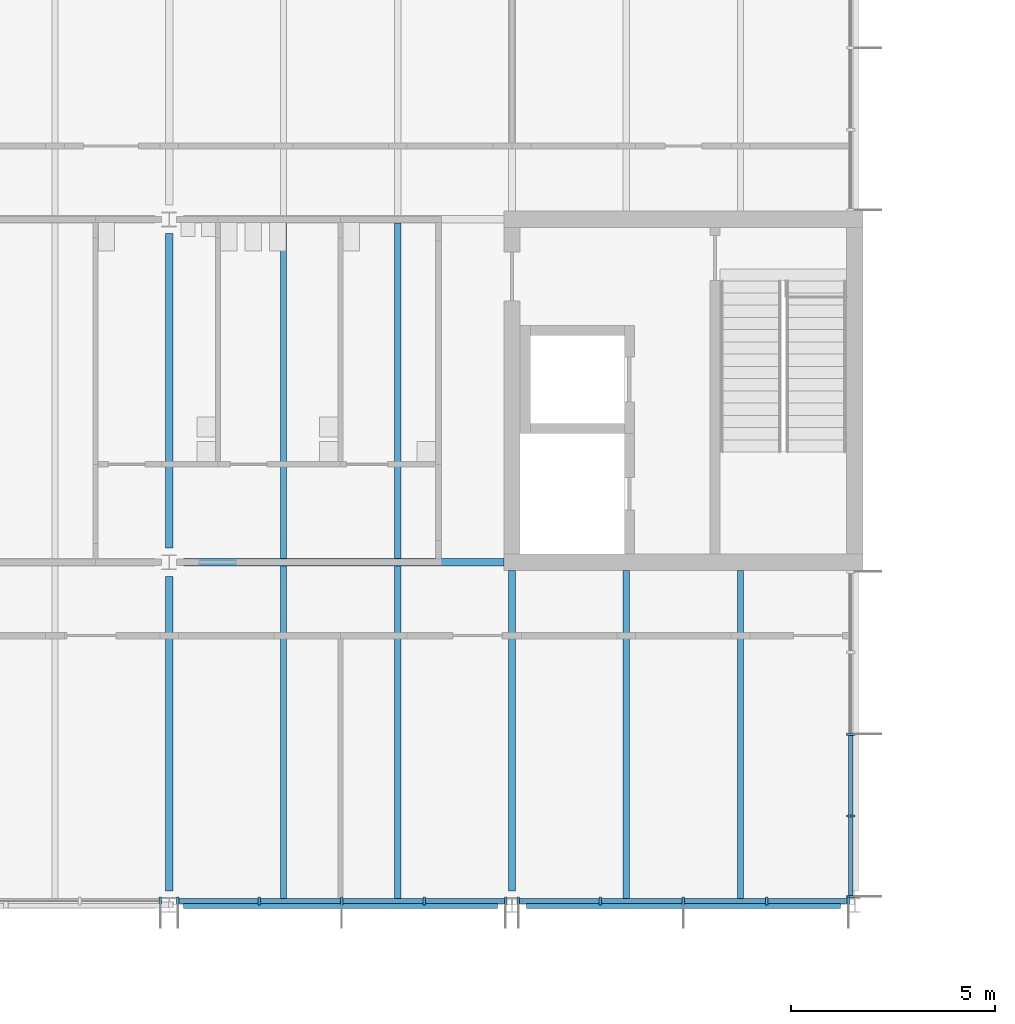
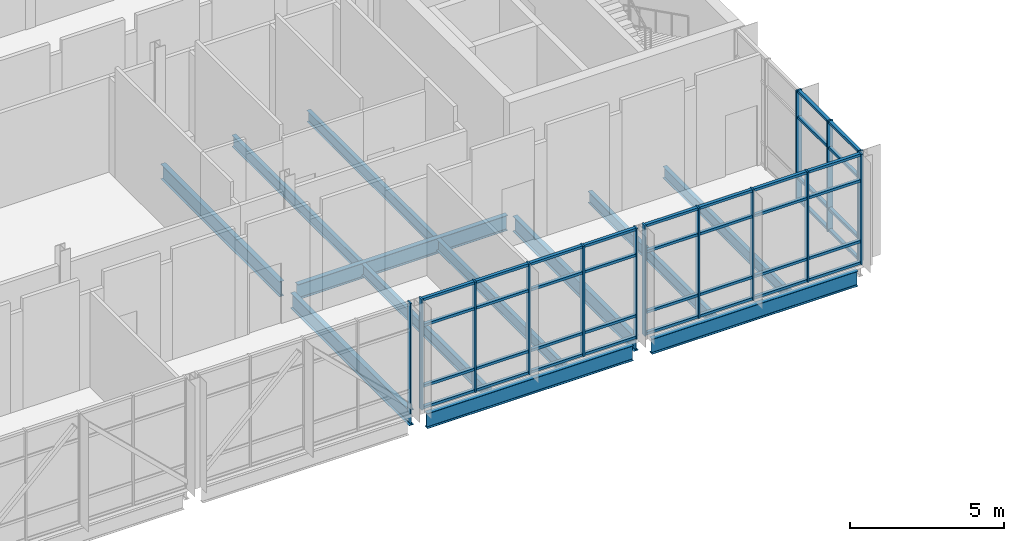
# One storey, part 14 of 89: 54 members, 12 beams, 4 elements without a shape of their own.
"""IFC4 building model written with IfcOpenShell, lengths in metres."""

from ifc_helpers import new_model, si_unit, direction, frame, origin, origin_2d, place, context, subcontext, project, spatial, rectangle, i_section, extrude, material, material_profile, profile_set, type_object, element, aggregate, save


model = new_model("IFC4")

# Units and contexts
model_context = context("Model", 3, precision=1e-05, world=origin(), true_north=direction((0.0, 1.0)))
body_context = subcontext(model_context, "Body", "Model", "MODEL_VIEW")
ifc_project = project(units=[si_unit("LENGTHUNIT", "METRE"), si_unit("AREAUNIT", "SQUARE_METRE"), si_unit("VOLUMEUNIT", "CUBIC_METRE"), si_unit("PLANEANGLEUNIT", "RADIAN"), si_unit("MASSUNIT", "GRAM", prefix="KILO")], contexts=[model_context])

# Site, building, storey
site_placement = place(None, origin())
site = spatial("IfcSite", under=ifc_project, at=site_placement, CompositionType="ELEMENT")
building_placement = place(site_placement, origin())
building = spatial("IfcBuilding", under=site, at=building_placement, Name="Hlaing Beacon Police Headquarters", CompositionType="ELEMENT")
storey_placement = place(building_placement, frame((0.0, 0.0, 9.89990234375)))
storey = spatial("IfcBuildingStorey", under=building, at=storey_placement, Name="L02", CompositionType="ELEMENT", Elevation=9.89990234375)

# Beams
ifc_material_1 = material(Name="Steel ASTM A992 Grade 50", Category="steel")
ifc_material_profile_1 = material_profile(ifc_material_1, i_section(OverallWidth=0.177978515625, OverallDepth=0.599365234375, WebThickness=0.010009765625, FlangeThickness=0.012939453125, FilletRadius=0.012939453125, at=origin_2d()), Name="W24x55")
ifc_profile_set_1 = profile_set([ifc_material_profile_1], Name="Steel ASTM A992 Grade 50")
beam_type_1 = type_object("IfcBeamType", Name="Girder W24x55", PredefinedType="BEAM", material=ifc_profile_set_1)
for number, where, z_axis, x_axis, name in (
    (1, (42.35009765625, 8.39990234375, -0.4296875), (1.0, 0.0, 0.0), (0.0, 1.0, 0.0), "STR-BM-L02-GX-F2-G2"),
    (2, (50.75, 8.39990234375, -0.4296875), (1.0, 0.0, 0.0), (0.0, 1.0, 0.0), "STR-BM-L02-GX-G2-H2"),
):
    element("IfcBeam", number, at=place(storey_placement, frame(where, z_axis=z_axis, x_axis=x_axis)), inside=storey, type_object=beam_type_1, Name=name, PredefinedType="BEAM", context=body_context, shape_type="SweptSolid", body=[
        extrude(i_section(OverallWidth=0.177978515625, OverallDepth=0.599365234375, WebThickness=0.010009765625, FlangeThickness=0.012939453125, FilletRadius=0.012939453125, at=origin_2d()), origin(), (0.0, 0.0, 1.0), 7.699951171875),
    ])
beam_1_placement = place(storey_placement, frame((42.35009765625, 16.800048828125, -0.4296875), z_axis=(1.0, 0.0, 0.0), x_axis=(0.0, 1.0, 0.0)))
element("IfcBeam", 3, at=beam_1_placement, inside=storey, type_object=beam_type_1, Name="STR-BM-L02-GX-F3-G3", PredefinedType="BEAM", context=body_context, shape_type="SweptSolid", body=[
    extrude(i_section(OverallWidth=0.177978515625, OverallDepth=0.599365234375, WebThickness=0.010009765625, FlangeThickness=0.012939453125, FilletRadius=0.012939453125, at=origin_2d()), origin(), (0.0, 0.0, 1.0), 7.849853515625),
])
beam_2_placement = place(storey_placement, frame((42.0, 8.75, -0.4296875), z_axis=(0.0, 1.0, 0.0), x_axis=(-1.0, 0.0, 0.0)))
element("IfcBeam", 4, at=beam_2_placement, inside=storey, type_object=beam_type_1, Name="STR-BM-L02-GY-F2-F3", PredefinedType="BEAM", context=body_context, shape_type="SweptSolid", body=[
    extrude(i_section(OverallWidth=0.177978515625, OverallDepth=0.599365234375, WebThickness=0.010009765625, FlangeThickness=0.012939453125, FilletRadius=0.012939453125, at=origin_2d()), origin(), (0.0, 0.0, 1.0), 7.699951171875),
])
beam_3_placement = place(storey_placement, frame((42.0, 17.14990234375, -0.4296875), z_axis=(0.0, 1.0, 0.0), x_axis=(-1.0, 0.0, 0.0)))
element("IfcBeam", 5, at=beam_3_placement, inside=storey, type_object=beam_type_1, Name="STR-BM-L02-GY-F3-F4", PredefinedType="BEAM", context=body_context, shape_type="SweptSolid", body=[
    extrude(i_section(OverallWidth=0.177978515625, OverallDepth=0.599365234375, WebThickness=0.010009765625, FlangeThickness=0.012939453125, FilletRadius=0.012939453125, at=origin_2d()), origin(), (0.0, 0.0, 1.0), 7.7001953125),
])
beam_4_placement = place(storey_placement, frame((50.39990234375, 8.75, -0.4296875), z_axis=(0.0, 1.0, 0.0), x_axis=(-1.0, 0.0, 0.0)))
element("IfcBeam", 6, at=beam_4_placement, inside=storey, type_object=beam_type_1, Name="STR-BM-L02-GY-G2-G3", PredefinedType="BEAM", context=body_context, shape_type="SweptSolid", body=[
    extrude(i_section(OverallWidth=0.177978515625, OverallDepth=0.599365234375, WebThickness=0.010009765625, FlangeThickness=0.012939453125, FilletRadius=0.012939453125, at=origin_2d()), origin(), (0.0, 0.0, 1.0), 7.85009765625),
])

# Curtain wall, members
ifc_material_2 = material(Name="Aluminium frame with solar control glazing", Category="aluminium")
curtain_wall_type_1 = type_object("IfcCurtainWallType", Name="Unitised curtain wall 8.02 x 4.37", PredefinedType="NOTDEFINED", material=ifc_material_2)
curtain_wall_1_placement = place(storey_placement, origin())
curtain_wall_1 = element("IfcCurtainWall", 7, at=curtain_wall_1_placement, inside=storey, type_object=curtain_wall_type_1, Name="ENV-CW-L02-E007", PredefinedType="NOTDEFINED")
ifc_material_3 = material(Name="Aluminium", Category="aluminium")
ifc_material_profile_2 = material_profile(ifc_material_3, rectangle(XDim=0.199951171875, YDim=0.06005859375, at=origin_2d()), Name="Mullion 60x200")
ifc_profile_set_2 = profile_set([ifc_material_profile_2], Name="Aluminium")
member_type_1 = type_object("IfcMemberType", Name="Mullion 60x200", PredefinedType="MULLION", material=ifc_profile_set_2)
member_1_placement = place(storey_placement, frame((58.699951171875, 8.6064453125, 0.0), z_axis=(0.0, 0.0, 1.0), x_axis=(-1.0, 0.0, 0.0)))
member_1 = element("IfcMember", 8, at=member_1_placement, type_object=member_type_1, Name="CW-L02-E007 mullion 1", PredefinedType="MULLION", context=body_context, shape_type="SweptSolid", body=[
    extrude(rectangle(XDim=0.199951171875, YDim=0.06005859375, at=origin_2d()), origin(), (0.0, 0.0, 1.0), 4.3701171875),
])
member_2_placement = place(storey_placement, frame((58.699951171875, 10.582275390625, 0.0), z_axis=(0.0, 0.0, 1.0), x_axis=(-1.0, 0.0, 0.0)))
member_2 = element("IfcMember", 9, at=member_2_placement, type_object=member_type_1, Name="CW-L02-E007 mullion 2", PredefinedType="MULLION", context=body_context, shape_type="SweptSolid", body=[
    extrude(rectangle(XDim=0.199951171875, YDim=0.06005859375, at=origin_2d()), origin(), (0.0, 0.0, 1.0), 4.3701171875),
])
member_3_placement = place(storey_placement, frame((58.699951171875, 12.588134765625, 0.0), z_axis=(0.0, 0.0, 1.0), x_axis=(-1.0, 0.0, 0.0)))
member_3 = element("IfcMember", 10, at=member_3_placement, type_object=member_type_1, Name="CW-L02-E007 mullion 3", PredefinedType="MULLION", context=body_context, shape_type="SweptSolid", body=[
    extrude(rectangle(XDim=0.199951171875, YDim=0.06005859375, at=origin_2d()), origin(), (0.0, 0.0, 1.0), 4.3701171875),
])

# Curtain wall, member
ifc_material_4 = material(Name="Aluminium frame with solar control glazing", Category="aluminium")
curtain_wall_type_2 = type_object("IfcCurtainWallType", Name="Unitised curtain wall 8.03 x 4.37", PredefinedType="NOTDEFINED", material=ifc_material_4)
curtain_wall_2_placement = place(storey_placement, origin())
curtain_wall_2 = element("IfcCurtainWall", 11, at=curtain_wall_2_placement, inside=storey, type_object=curtain_wall_type_2, Name="ENV-CW-L02-S012", PredefinedType="NOTDEFINED")
member_4_placement = place(storey_placement, frame((41.78466796875, 8.5, 0.0), z_axis=(0.0, 0.0, 1.0), x_axis=(0.0, 1.0, 0.0)))
member_4 = element("IfcMember", 12, at=member_4_placement, type_object=member_type_1, Name="CW-L02-S012 mullion 5", PredefinedType="MULLION", context=body_context, shape_type="SweptSolid", body=[
    extrude(rectangle(XDim=0.199951171875, YDim=0.06005859375, at=origin_2d()), origin(), (0.0, 0.0, 1.0), 4.3701171875),
])
aggregate(curtain_wall_2, [member_4])

# Curtain wall, members
ifc_material_5 = material(Name="Aluminium frame with solar control glazing", Category="aluminium")
curtain_wall_type_3 = type_object("IfcCurtainWallType", Name="Unitised curtain wall 8.09 x 4.37", PredefinedType="NOTDEFINED", material=ifc_material_5)
curtain_wall_3_placement = place(storey_placement, origin())
curtain_wall_3 = element("IfcCurtainWall", 13, at=curtain_wall_3_placement, inside=storey, type_object=curtain_wall_type_3, Name="ENV-CW-L02-S013", PredefinedType="NOTDEFINED")
member_5_placement = place(storey_placement, frame((42.21533203125, 8.5, 0.0), z_axis=(0.0, 0.0, 1.0), x_axis=(0.0, 1.0, 0.0)))
member_5 = element("IfcMember", 14, at=member_5_placement, type_object=member_type_1, Name="CW-L02-S013 mullion 1", PredefinedType="MULLION", context=body_context, shape_type="SweptSolid", body=[
    extrude(rectangle(XDim=0.199951171875, YDim=0.06005859375, at=origin_2d()), origin(), (0.0, 0.0, 1.0), 4.3701171875),
])
member_6_placement = place(storey_placement, frame((44.20703125, 8.5, 0.0), z_axis=(0.0, 0.0, 1.0), x_axis=(0.0, 1.0, 0.0)))
member_6 = element("IfcMember", 15, at=member_6_placement, type_object=member_type_1, Name="CW-L02-S013 mullion 2", PredefinedType="MULLION", context=body_context, shape_type="SweptSolid", body=[
    extrude(rectangle(XDim=0.199951171875, YDim=0.06005859375, at=origin_2d()), origin(), (0.0, 0.0, 1.0), 4.3701171875),
])
member_7_placement = place(storey_placement, frame((46.228515625, 8.5, 0.0), z_axis=(0.0, 0.0, 1.0), x_axis=(0.0, 1.0, 0.0)))
member_7 = element("IfcMember", 16, at=member_7_placement, type_object=member_type_1, Name="CW-L02-S013 mullion 3", PredefinedType="MULLION", context=body_context, shape_type="SweptSolid", body=[
    extrude(rectangle(XDim=0.199951171875, YDim=0.06005859375, at=origin_2d()), origin(), (0.0, 0.0, 1.0), 4.3701171875),
])
member_8_placement = place(storey_placement, frame((48.250244140625, 8.5, 0.0), z_axis=(0.0, 0.0, 1.0), x_axis=(0.0, 1.0, 0.0)))
member_8 = element("IfcMember", 17, at=member_8_placement, type_object=member_type_1, Name="CW-L02-S013 mullion 4", PredefinedType="MULLION", context=body_context, shape_type="SweptSolid", body=[
    extrude(rectangle(XDim=0.199951171875, YDim=0.06005859375, at=origin_2d()), origin(), (0.0, 0.0, 1.0), 4.3701171875),
])
member_9_placement = place(storey_placement, frame((50.24169921875, 8.5, 0.0), z_axis=(0.0, 0.0, 1.0), x_axis=(0.0, 1.0, 0.0)))
member_9 = element("IfcMember", 18, at=member_9_placement, type_object=member_type_1, Name="CW-L02-S013 mullion 5", PredefinedType="MULLION", context=body_context, shape_type="SweptSolid", body=[
    extrude(rectangle(XDim=0.199951171875, YDim=0.06005859375, at=origin_2d()), origin(), (0.0, 0.0, 1.0), 4.3701171875),
])

ifc_material_6 = material(Name="Aluminium frame with solar control glazing", Category="aluminium")
curtain_wall_type_4 = type_object("IfcCurtainWallType", Name="Unitised curtain wall 8.14 x 4.37", PredefinedType="NOTDEFINED", material=ifc_material_6)
curtain_wall_4_placement = place(storey_placement, origin())
curtain_wall_4 = element("IfcCurtainWall", 19, at=curtain_wall_4_placement, inside=storey, type_object=curtain_wall_type_4, Name="ENV-CW-L02-S014", PredefinedType="NOTDEFINED")
member_10_placement = place(storey_placement, frame((50.558349609375, 8.5, 0.0), z_axis=(0.0, 0.0, 1.0), x_axis=(0.0, 1.0, 0.0)))
member_10 = element("IfcMember", 20, at=member_10_placement, type_object=member_type_1, Name="CW-L02-S014 mullion 1", PredefinedType="MULLION", context=body_context, shape_type="SweptSolid", body=[
    extrude(rectangle(XDim=0.199951171875, YDim=0.06005859375, at=origin_2d()), origin(), (0.0, 0.0, 1.0), 4.3701171875),
])
member_11_placement = place(storey_placement, frame((52.564453125, 8.5, 0.0), z_axis=(0.0, 0.0, 1.0), x_axis=(0.0, 1.0, 0.0)))
member_11 = element("IfcMember", 21, at=member_11_placement, type_object=member_type_1, Name="CW-L02-S014 mullion 2", PredefinedType="MULLION", context=body_context, shape_type="SweptSolid", body=[
    extrude(rectangle(XDim=0.199951171875, YDim=0.06005859375, at=origin_2d()), origin(), (0.0, 0.0, 1.0), 4.3701171875),
])
member_12_placement = place(storey_placement, frame((54.6005859375, 8.5, 0.0), z_axis=(0.0, 0.0, 1.0), x_axis=(0.0, 1.0, 0.0)))
member_12 = element("IfcMember", 22, at=member_12_placement, type_object=member_type_1, Name="CW-L02-S014 mullion 3", PredefinedType="MULLION", context=body_context, shape_type="SweptSolid", body=[
    extrude(rectangle(XDim=0.199951171875, YDim=0.06005859375, at=origin_2d()), origin(), (0.0, 0.0, 1.0), 4.3701171875),
])
member_13_placement = place(storey_placement, frame((56.63671875, 8.5, 0.0), z_axis=(0.0, 0.0, 1.0), x_axis=(0.0, 1.0, 0.0)))
member_13 = element("IfcMember", 23, at=member_13_placement, type_object=member_type_1, Name="CW-L02-S014 mullion 4", PredefinedType="MULLION", context=body_context, shape_type="SweptSolid", body=[
    extrude(rectangle(XDim=0.199951171875, YDim=0.06005859375, at=origin_2d()), origin(), (0.0, 0.0, 1.0), 4.3701171875),
])
member_14_placement = place(storey_placement, frame((58.64306640625, 8.5, 0.0), z_axis=(0.0, 0.0, 1.0), x_axis=(0.0, 1.0, 0.0)))
member_14 = element("IfcMember", 24, at=member_14_placement, type_object=member_type_1, Name="CW-L02-S014 mullion 5", PredefinedType="MULLION", context=body_context, shape_type="SweptSolid", body=[
    extrude(rectangle(XDim=0.199951171875, YDim=0.06005859375, at=origin_2d()), origin(), (0.0, 0.0, 1.0), 4.3701171875),
])

# Beams
ifc_material_7 = material(Name="Steel ASTM A992 Grade 50", Category="steel")
ifc_material_profile_3 = material_profile(ifc_material_7, i_section(OverallWidth=0.15234375, OverallDepth=0.449462890625, WebThickness=0.007568359375, FlangeThickness=0.0107421875, FilletRadius=0.01025390625, at=origin_2d()), Name="W18x35")
ifc_profile_set_3 = profile_set([ifc_material_profile_3], Name="Steel ASTM A992 Grade 50")
beam_type_2 = type_object("IfcBeamType", Name="Secondary beam W18x35", PredefinedType="BEAM", material=ifc_profile_set_3)
for number, where, z_axis, x_axis, name in (
    (25, (44.800048828125, 8.489013671875, -0.354736328125), (0.0, 1.0, 0.0), (-1.0, 0.0, 0.0), "STR-BM-L02-SB-F2-y1"),
    (26, (47.60009765625, 8.489013671875, -0.354736328125), (0.0, 1.0, 0.0), (-1.0, 0.0, 0.0), "STR-BM-L02-SB-F2-y2"),
):
    element("IfcBeam", number, at=place(storey_placement, frame(where, z_axis=z_axis, x_axis=x_axis)), inside=storey, type_object=beam_type_2, Name=name, PredefinedType="BEAM", context=body_context, shape_type="SweptSolid", body=[
        extrude(i_section(OverallWidth=0.15234375, OverallDepth=0.449462890625, WebThickness=0.007568359375, FlangeThickness=0.0107421875, FilletRadius=0.01025390625, at=origin_2d()), origin(), (0.0, 0.0, 1.0), 8.221923828125),
    ])
for number, where, z_axis, x_axis, name in (
    (27, (44.800048828125, 16.888916015625, -0.354736328125), (0.0, 1.0, 0.0), (-1.0, 0.0, 0.0), "STR-BM-L02-SB-F3-y1"),
    (28, (47.60009765625, 16.888916015625, -0.354736328125), (0.0, 1.0, 0.0), (-1.0, 0.0, 0.0), "STR-BM-L02-SB-F3-y2"),
):
    element("IfcBeam", number, at=place(storey_placement, frame(where, z_axis=z_axis, x_axis=x_axis)), inside=storey, type_object=beam_type_2, Name=name, PredefinedType="BEAM", context=body_context, shape_type="SweptSolid", body=[
        extrude(i_section(OverallWidth=0.15234375, OverallDepth=0.449462890625, WebThickness=0.007568359375, FlangeThickness=0.0107421875, FilletRadius=0.01025390625, at=origin_2d()), origin(), (0.0, 0.0, 1.0), 8.22216796875),
    ])
for number, where, z_axis, x_axis, name in (
    (29, (53.199951171875, 8.489013671875, -0.354736328125), (0.0, 1.0, 0.0), (-1.0, 0.0, 0.0), "STR-BM-L02-SB-G2-y1"),
    (30, (56.0, 8.489013671875, -0.354736328125), (0.0, 1.0, 0.0), (-1.0, 0.0, 0.0), "STR-BM-L02-SB-G2-y2"),
):
    element("IfcBeam", number, at=place(storey_placement, frame(where, z_axis=z_axis, x_axis=x_axis)), inside=storey, type_object=beam_type_2, Name=name, PredefinedType="BEAM", context=body_context, shape_type="SweptSolid", body=[
        extrude(i_section(OverallWidth=0.15234375, OverallDepth=0.449462890625, WebThickness=0.007568359375, FlangeThickness=0.0107421875, FilletRadius=0.01025390625, at=origin_2d()), origin(), (0.0, 0.0, 1.0), 8.111083984375),
    ])

# Member
ifc_material_8 = material(Name="Aluminium", Category="aluminium")
ifc_material_profile_4 = material_profile(ifc_material_8, rectangle(XDim=0.1201171875, YDim=0.10009765625, at=origin_2d()), Name="Transom 120x100")
ifc_profile_set_4 = profile_set([ifc_material_profile_4], Name="Aluminium")
member_type_2 = type_object("IfcMemberType", Name="Transom 120x100", PredefinedType="USERDEFINED", material=ifc_profile_set_4)
member_15_placement = place(storey_placement, frame((58.699951171875, 8.636474609375, 0.050048828125), z_axis=(0.0, 1.0, 0.0), x_axis=(-1.0, 0.0, 0.0)))
member_15 = element("IfcMember", 31, at=member_15_placement, type_object=member_type_2, Name="CW-L02-E007 transom 1.1", ObjectType="TRANSOM", PredefinedType="USERDEFINED", context=body_context, shape_type="SweptSolid", body=[
    extrude(rectangle(XDim=0.1201171875, YDim=0.10009765625, at=origin_2d()), origin(), (0.0, 0.0, 1.0), 1.916015625),
])

member_16_placement = place(storey_placement, frame((58.699951171875, 8.636474609375, 0.900146484375), z_axis=(0.0, 1.0, 0.0), x_axis=(-1.0, 0.0, 0.0)))
member_16 = element("IfcMember", 32, at=member_16_placement, type_object=member_type_2, Name="CW-L02-E007 transom 1.2", ObjectType="TRANSOM", PredefinedType="USERDEFINED", context=body_context, shape_type="SweptSolid", body=[
    extrude(rectangle(XDim=0.1201171875, YDim=0.10009765625, at=origin_2d()), origin(), (0.0, 0.0, 1.0), 1.916015625),
])

member_17_placement = place(storey_placement, frame((58.699951171875, 8.636474609375, 3.300048828125), z_axis=(0.0, 1.0, 0.0), x_axis=(-1.0, 0.0, 0.0)))
member_17 = element("IfcMember", 33, at=member_17_placement, type_object=member_type_2, Name="CW-L02-E007 transom 1.3", ObjectType="TRANSOM", PredefinedType="USERDEFINED", context=body_context, shape_type="SweptSolid", body=[
    extrude(rectangle(XDim=0.1201171875, YDim=0.10009765625, at=origin_2d()), origin(), (0.0, 0.0, 1.0), 1.916015625),
])

member_18_placement = place(storey_placement, frame((58.699951171875, 8.636474609375, 4.320068359375), z_axis=(0.0, 1.0, 0.0), x_axis=(-1.0, 0.0, 0.0)))
member_18 = element("IfcMember", 34, at=member_18_placement, type_object=member_type_2, Name="CW-L02-E007 transom 1.4", ObjectType="TRANSOM", PredefinedType="USERDEFINED", context=body_context, shape_type="SweptSolid", body=[
    extrude(rectangle(XDim=0.1201171875, YDim=0.10009765625, at=origin_2d()), origin(), (0.0, 0.0, 1.0), 1.916015625),
])

member_19_placement = place(storey_placement, frame((58.699951171875, 10.6123046875, 0.050048828125), z_axis=(0.0, 1.0, 0.0), x_axis=(-1.0, 0.0, 0.0)))
member_19 = element("IfcMember", 35, at=member_19_placement, type_object=member_type_2, Name="CW-L02-E007 transom 2.1", ObjectType="TRANSOM", PredefinedType="USERDEFINED", context=body_context, shape_type="SweptSolid", body=[
    extrude(rectangle(XDim=0.1201171875, YDim=0.10009765625, at=origin_2d()), origin(), (0.0, 0.0, 1.0), 1.946044921875),
])

member_20_placement = place(storey_placement, frame((58.699951171875, 10.6123046875, 0.900146484375), z_axis=(0.0, 1.0, 0.0), x_axis=(-1.0, 0.0, 0.0)))
member_20 = element("IfcMember", 36, at=member_20_placement, type_object=member_type_2, Name="CW-L02-E007 transom 2.2", ObjectType="TRANSOM", PredefinedType="USERDEFINED", context=body_context, shape_type="SweptSolid", body=[
    extrude(rectangle(XDim=0.1201171875, YDim=0.10009765625, at=origin_2d()), origin(), (0.0, 0.0, 1.0), 1.946044921875),
])

member_21_placement = place(storey_placement, frame((58.699951171875, 10.6123046875, 3.300048828125), z_axis=(0.0, 1.0, 0.0), x_axis=(-1.0, 0.0, 0.0)))
member_21 = element("IfcMember", 37, at=member_21_placement, type_object=member_type_2, Name="CW-L02-E007 transom 2.3", ObjectType="TRANSOM", PredefinedType="USERDEFINED", context=body_context, shape_type="SweptSolid", body=[
    extrude(rectangle(XDim=0.1201171875, YDim=0.10009765625, at=origin_2d()), origin(), (0.0, 0.0, 1.0), 1.946044921875),
])

member_22_placement = place(storey_placement, frame((58.699951171875, 10.6123046875, 4.320068359375), z_axis=(0.0, 1.0, 0.0), x_axis=(-1.0, 0.0, 0.0)))
member_22 = element("IfcMember", 38, at=member_22_placement, type_object=member_type_2, Name="CW-L02-E007 transom 2.4", ObjectType="TRANSOM", PredefinedType="USERDEFINED", context=body_context, shape_type="SweptSolid", body=[
    extrude(rectangle(XDim=0.1201171875, YDim=0.10009765625, at=origin_2d()), origin(), (0.0, 0.0, 1.0), 1.946044921875),
])

aggregate(curtain_wall_1, [member_1, member_2, member_3, member_15, member_16, member_17, member_18, member_19, member_20, member_21, member_22])

member_23_placement = place(storey_placement, frame((42.245361328125, 8.5, 0.050048828125), z_axis=(1.0, 0.0, 0.0), x_axis=(0.0, 1.0, 0.0)))
member_23 = element("IfcMember", 39, at=member_23_placement, type_object=member_type_2, Name="CW-L02-S013 transom 1.1", ObjectType="TRANSOM", PredefinedType="USERDEFINED", context=body_context, shape_type="SweptSolid", body=[
    extrude(rectangle(XDim=0.1201171875, YDim=0.10009765625, at=origin_2d()), origin(), (0.0, 0.0, 1.0), 1.931640625),
])

member_24_placement = place(storey_placement, frame((42.245361328125, 8.5, 0.900146484375), z_axis=(1.0, 0.0, 0.0), x_axis=(0.0, 1.0, 0.0)))
member_24 = element("IfcMember", 40, at=member_24_placement, type_object=member_type_2, Name="CW-L02-S013 transom 1.2", ObjectType="TRANSOM", PredefinedType="USERDEFINED", context=body_context, shape_type="SweptSolid", body=[
    extrude(rectangle(XDim=0.1201171875, YDim=0.10009765625, at=origin_2d()), origin(), (0.0, 0.0, 1.0), 1.931640625),
])

member_25_placement = place(storey_placement, frame((42.245361328125, 8.5, 3.300048828125), z_axis=(1.0, 0.0, 0.0), x_axis=(0.0, 1.0, 0.0)))
member_25 = element("IfcMember", 41, at=member_25_placement, type_object=member_type_2, Name="CW-L02-S013 transom 1.3", ObjectType="TRANSOM", PredefinedType="USERDEFINED", context=body_context, shape_type="SweptSolid", body=[
    extrude(rectangle(XDim=0.1201171875, YDim=0.10009765625, at=origin_2d()), origin(), (0.0, 0.0, 1.0), 1.931640625),
])

member_26_placement = place(storey_placement, frame((42.245361328125, 8.5, 4.320068359375), z_axis=(1.0, 0.0, 0.0), x_axis=(0.0, 1.0, 0.0)))
member_26 = element("IfcMember", 42, at=member_26_placement, type_object=member_type_2, Name="CW-L02-S013 transom 1.4", ObjectType="TRANSOM", PredefinedType="USERDEFINED", context=body_context, shape_type="SweptSolid", body=[
    extrude(rectangle(XDim=0.1201171875, YDim=0.10009765625, at=origin_2d()), origin(), (0.0, 0.0, 1.0), 1.931640625),
])

member_27_placement = place(storey_placement, frame((44.237060546875, 8.5, 0.050048828125), z_axis=(1.0, 0.0, 0.0), x_axis=(0.0, 1.0, 0.0)))
member_27 = element("IfcMember", 43, at=member_27_placement, type_object=member_type_2, Name="CW-L02-S013 transom 2.1", ObjectType="TRANSOM", PredefinedType="USERDEFINED", context=body_context, shape_type="SweptSolid", body=[
    extrude(rectangle(XDim=0.1201171875, YDim=0.10009765625, at=origin_2d()), origin(), (0.0, 0.0, 1.0), 1.96142578125),
])

member_28_placement = place(storey_placement, frame((44.237060546875, 8.5, 0.900146484375), z_axis=(1.0, 0.0, 0.0), x_axis=(0.0, 1.0, 0.0)))
member_28 = element("IfcMember", 44, at=member_28_placement, type_object=member_type_2, Name="CW-L02-S013 transom 2.2", ObjectType="TRANSOM", PredefinedType="USERDEFINED", context=body_context, shape_type="SweptSolid", body=[
    extrude(rectangle(XDim=0.1201171875, YDim=0.10009765625, at=origin_2d()), origin(), (0.0, 0.0, 1.0), 1.96142578125),
])

member_29_placement = place(storey_placement, frame((44.237060546875, 8.5, 3.300048828125), z_axis=(1.0, 0.0, 0.0), x_axis=(0.0, 1.0, 0.0)))
member_29 = element("IfcMember", 45, at=member_29_placement, type_object=member_type_2, Name="CW-L02-S013 transom 2.3", ObjectType="TRANSOM", PredefinedType="USERDEFINED", context=body_context, shape_type="SweptSolid", body=[
    extrude(rectangle(XDim=0.1201171875, YDim=0.10009765625, at=origin_2d()), origin(), (0.0, 0.0, 1.0), 1.96142578125),
])

member_30_placement = place(storey_placement, frame((44.237060546875, 8.5, 4.320068359375), z_axis=(1.0, 0.0, 0.0), x_axis=(0.0, 1.0, 0.0)))
member_30 = element("IfcMember", 46, at=member_30_placement, type_object=member_type_2, Name="CW-L02-S013 transom 2.4", ObjectType="TRANSOM", PredefinedType="USERDEFINED", context=body_context, shape_type="SweptSolid", body=[
    extrude(rectangle(XDim=0.1201171875, YDim=0.10009765625, at=origin_2d()), origin(), (0.0, 0.0, 1.0), 1.96142578125),
])

member_31_placement = place(storey_placement, frame((46.258544921875, 8.5, 0.050048828125), z_axis=(1.0, 0.0, 0.0), x_axis=(0.0, 1.0, 0.0)))
member_31 = element("IfcMember", 47, at=member_31_placement, type_object=member_type_2, Name="CW-L02-S013 transom 3.1", ObjectType="TRANSOM", PredefinedType="USERDEFINED", context=body_context, shape_type="SweptSolid", body=[
    extrude(rectangle(XDim=0.1201171875, YDim=0.10009765625, at=origin_2d()), origin(), (0.0, 0.0, 1.0), 1.961669921875),
])

member_32_placement = place(storey_placement, frame((46.258544921875, 8.5, 0.900146484375), z_axis=(1.0, 0.0, 0.0), x_axis=(0.0, 1.0, 0.0)))
member_32 = element("IfcMember", 48, at=member_32_placement, type_object=member_type_2, Name="CW-L02-S013 transom 3.2", ObjectType="TRANSOM", PredefinedType="USERDEFINED", context=body_context, shape_type="SweptSolid", body=[
    extrude(rectangle(XDim=0.1201171875, YDim=0.10009765625, at=origin_2d()), origin(), (0.0, 0.0, 1.0), 1.961669921875),
])

member_33_placement = place(storey_placement, frame((46.258544921875, 8.5, 3.300048828125), z_axis=(1.0, 0.0, 0.0), x_axis=(0.0, 1.0, 0.0)))
member_33 = element("IfcMember", 49, at=member_33_placement, type_object=member_type_2, Name="CW-L02-S013 transom 3.3", ObjectType="TRANSOM", PredefinedType="USERDEFINED", context=body_context, shape_type="SweptSolid", body=[
    extrude(rectangle(XDim=0.1201171875, YDim=0.10009765625, at=origin_2d()), origin(), (0.0, 0.0, 1.0), 1.961669921875),
])

member_34_placement = place(storey_placement, frame((46.258544921875, 8.5, 4.320068359375), z_axis=(1.0, 0.0, 0.0), x_axis=(0.0, 1.0, 0.0)))
member_34 = element("IfcMember", 50, at=member_34_placement, type_object=member_type_2, Name="CW-L02-S013 transom 3.4", ObjectType="TRANSOM", PredefinedType="USERDEFINED", context=body_context, shape_type="SweptSolid", body=[
    extrude(rectangle(XDim=0.1201171875, YDim=0.10009765625, at=origin_2d()), origin(), (0.0, 0.0, 1.0), 1.961669921875),
])

member_35_placement = place(storey_placement, frame((48.280029296875, 8.5, 0.050048828125), z_axis=(1.0, 0.0, 0.0), x_axis=(0.0, 1.0, 0.0)))
member_35 = element("IfcMember", 51, at=member_35_placement, type_object=member_type_2, Name="CW-L02-S013 transom 4.1", ObjectType="TRANSOM", PredefinedType="USERDEFINED", context=body_context, shape_type="SweptSolid", body=[
    extrude(rectangle(XDim=0.1201171875, YDim=0.10009765625, at=origin_2d()), origin(), (0.0, 0.0, 1.0), 1.931640625),
])

member_36_placement = place(storey_placement, frame((48.280029296875, 8.5, 0.900146484375), z_axis=(1.0, 0.0, 0.0), x_axis=(0.0, 1.0, 0.0)))
member_36 = element("IfcMember", 52, at=member_36_placement, type_object=member_type_2, Name="CW-L02-S013 transom 4.2", ObjectType="TRANSOM", PredefinedType="USERDEFINED", context=body_context, shape_type="SweptSolid", body=[
    extrude(rectangle(XDim=0.1201171875, YDim=0.10009765625, at=origin_2d()), origin(), (0.0, 0.0, 1.0), 1.931640625),
])

member_37_placement = place(storey_placement, frame((48.280029296875, 8.5, 3.300048828125), z_axis=(1.0, 0.0, 0.0), x_axis=(0.0, 1.0, 0.0)))
member_37 = element("IfcMember", 53, at=member_37_placement, type_object=member_type_2, Name="CW-L02-S013 transom 4.3", ObjectType="TRANSOM", PredefinedType="USERDEFINED", context=body_context, shape_type="SweptSolid", body=[
    extrude(rectangle(XDim=0.1201171875, YDim=0.10009765625, at=origin_2d()), origin(), (0.0, 0.0, 1.0), 1.931640625),
])

member_38_placement = place(storey_placement, frame((48.280029296875, 8.5, 4.320068359375), z_axis=(1.0, 0.0, 0.0), x_axis=(0.0, 1.0, 0.0)))
member_38 = element("IfcMember", 54, at=member_38_placement, type_object=member_type_2, Name="CW-L02-S013 transom 4.4", ObjectType="TRANSOM", PredefinedType="USERDEFINED", context=body_context, shape_type="SweptSolid", body=[
    extrude(rectangle(XDim=0.1201171875, YDim=0.10009765625, at=origin_2d()), origin(), (0.0, 0.0, 1.0), 1.931640625),
])

aggregate(curtain_wall_3, [member_5, member_6, member_7, member_8, member_9, member_23, member_24, member_25, member_26, member_27, member_28, member_29, member_30, member_31, member_32, member_33, member_34, member_35, member_36, member_37, member_38])

member_39_placement = place(storey_placement, frame((50.58837890625, 8.5, 0.050048828125), z_axis=(1.0, 0.0, 0.0), x_axis=(0.0, 1.0, 0.0)))
member_39 = element("IfcMember", 55, at=member_39_placement, type_object=member_type_2, Name="CW-L02-S014 transom 1.1", ObjectType="TRANSOM", PredefinedType="USERDEFINED", context=body_context, shape_type="SweptSolid", body=[
    extrude(rectangle(XDim=0.1201171875, YDim=0.10009765625, at=origin_2d()), origin(), (0.0, 0.0, 1.0), 1.946044921875),
])

member_40_placement = place(storey_placement, frame((50.58837890625, 8.5, 0.900146484375), z_axis=(1.0, 0.0, 0.0), x_axis=(0.0, 1.0, 0.0)))
member_40 = element("IfcMember", 56, at=member_40_placement, type_object=member_type_2, Name="CW-L02-S014 transom 1.2", ObjectType="TRANSOM", PredefinedType="USERDEFINED", context=body_context, shape_type="SweptSolid", body=[
    extrude(rectangle(XDim=0.1201171875, YDim=0.10009765625, at=origin_2d()), origin(), (0.0, 0.0, 1.0), 1.946044921875),
])

member_41_placement = place(storey_placement, frame((50.58837890625, 8.5, 3.300048828125), z_axis=(1.0, 0.0, 0.0), x_axis=(0.0, 1.0, 0.0)))
member_41 = element("IfcMember", 57, at=member_41_placement, type_object=member_type_2, Name="CW-L02-S014 transom 1.3", ObjectType="TRANSOM", PredefinedType="USERDEFINED", context=body_context, shape_type="SweptSolid", body=[
    extrude(rectangle(XDim=0.1201171875, YDim=0.10009765625, at=origin_2d()), origin(), (0.0, 0.0, 1.0), 1.946044921875),
])

member_42_placement = place(storey_placement, frame((50.58837890625, 8.5, 4.320068359375), z_axis=(1.0, 0.0, 0.0), x_axis=(0.0, 1.0, 0.0)))
member_42 = element("IfcMember", 58, at=member_42_placement, type_object=member_type_2, Name="CW-L02-S014 transom 1.4", ObjectType="TRANSOM", PredefinedType="USERDEFINED", context=body_context, shape_type="SweptSolid", body=[
    extrude(rectangle(XDim=0.1201171875, YDim=0.10009765625, at=origin_2d()), origin(), (0.0, 0.0, 1.0), 1.946044921875),
])

member_43_placement = place(storey_placement, frame((52.594482421875, 8.5, 0.050048828125), z_axis=(1.0, 0.0, 0.0), x_axis=(0.0, 1.0, 0.0)))
member_43 = element("IfcMember", 59, at=member_43_placement, type_object=member_type_2, Name="CW-L02-S014 transom 2.1", ObjectType="TRANSOM", PredefinedType="USERDEFINED", context=body_context, shape_type="SweptSolid", body=[
    extrude(rectangle(XDim=0.1201171875, YDim=0.10009765625, at=origin_2d()), origin(), (0.0, 0.0, 1.0), 1.97607421875),
])

member_44_placement = place(storey_placement, frame((52.594482421875, 8.5, 0.900146484375), z_axis=(1.0, 0.0, 0.0), x_axis=(0.0, 1.0, 0.0)))
member_44 = element("IfcMember", 60, at=member_44_placement, type_object=member_type_2, Name="CW-L02-S014 transom 2.2", ObjectType="TRANSOM", PredefinedType="USERDEFINED", context=body_context, shape_type="SweptSolid", body=[
    extrude(rectangle(XDim=0.1201171875, YDim=0.10009765625, at=origin_2d()), origin(), (0.0, 0.0, 1.0), 1.97607421875),
])

member_45_placement = place(storey_placement, frame((52.594482421875, 8.5, 3.300048828125), z_axis=(1.0, 0.0, 0.0), x_axis=(0.0, 1.0, 0.0)))
member_45 = element("IfcMember", 61, at=member_45_placement, type_object=member_type_2, Name="CW-L02-S014 transom 2.3", ObjectType="TRANSOM", PredefinedType="USERDEFINED", context=body_context, shape_type="SweptSolid", body=[
    extrude(rectangle(XDim=0.1201171875, YDim=0.10009765625, at=origin_2d()), origin(), (0.0, 0.0, 1.0), 1.97607421875),
])

member_46_placement = place(storey_placement, frame((52.594482421875, 8.5, 4.320068359375), z_axis=(1.0, 0.0, 0.0), x_axis=(0.0, 1.0, 0.0)))
member_46 = element("IfcMember", 62, at=member_46_placement, type_object=member_type_2, Name="CW-L02-S014 transom 2.4", ObjectType="TRANSOM", PredefinedType="USERDEFINED", context=body_context, shape_type="SweptSolid", body=[
    extrude(rectangle(XDim=0.1201171875, YDim=0.10009765625, at=origin_2d()), origin(), (0.0, 0.0, 1.0), 1.97607421875),
])

member_47_placement = place(storey_placement, frame((54.630615234375, 8.5, 0.050048828125), z_axis=(1.0, 0.0, 0.0), x_axis=(0.0, 1.0, 0.0)))
member_47 = element("IfcMember", 63, at=member_47_placement, type_object=member_type_2, Name="CW-L02-S014 transom 3.1", ObjectType="TRANSOM", PredefinedType="USERDEFINED", context=body_context, shape_type="SweptSolid", body=[
    extrude(rectangle(XDim=0.1201171875, YDim=0.10009765625, at=origin_2d()), origin(), (0.0, 0.0, 1.0), 1.976318359375),
])

member_48_placement = place(storey_placement, frame((54.630615234375, 8.5, 0.900146484375), z_axis=(1.0, 0.0, 0.0), x_axis=(0.0, 1.0, 0.0)))
member_48 = element("IfcMember", 64, at=member_48_placement, type_object=member_type_2, Name="CW-L02-S014 transom 3.2", ObjectType="TRANSOM", PredefinedType="USERDEFINED", context=body_context, shape_type="SweptSolid", body=[
    extrude(rectangle(XDim=0.1201171875, YDim=0.10009765625, at=origin_2d()), origin(), (0.0, 0.0, 1.0), 1.976318359375),
])

member_49_placement = place(storey_placement, frame((54.630615234375, 8.5, 3.300048828125), z_axis=(1.0, 0.0, 0.0), x_axis=(0.0, 1.0, 0.0)))
member_49 = element("IfcMember", 65, at=member_49_placement, type_object=member_type_2, Name="CW-L02-S014 transom 3.3", ObjectType="TRANSOM", PredefinedType="USERDEFINED", context=body_context, shape_type="SweptSolid", body=[
    extrude(rectangle(XDim=0.1201171875, YDim=0.10009765625, at=origin_2d()), origin(), (0.0, 0.0, 1.0), 1.976318359375),
])

member_50_placement = place(storey_placement, frame((54.630615234375, 8.5, 4.320068359375), z_axis=(1.0, 0.0, 0.0), x_axis=(0.0, 1.0, 0.0)))
member_50 = element("IfcMember", 66, at=member_50_placement, type_object=member_type_2, Name="CW-L02-S014 transom 3.4", ObjectType="TRANSOM", PredefinedType="USERDEFINED", context=body_context, shape_type="SweptSolid", body=[
    extrude(rectangle(XDim=0.1201171875, YDim=0.10009765625, at=origin_2d()), origin(), (0.0, 0.0, 1.0), 1.976318359375),
])

member_51_placement = place(storey_placement, frame((56.666748046875, 8.5, 0.050048828125), z_axis=(1.0, 0.0, 0.0), x_axis=(0.0, 1.0, 0.0)))
member_51 = element("IfcMember", 67, at=member_51_placement, type_object=member_type_2, Name="CW-L02-S014 transom 4.1", ObjectType="TRANSOM", PredefinedType="USERDEFINED", context=body_context, shape_type="SweptSolid", body=[
    extrude(rectangle(XDim=0.1201171875, YDim=0.10009765625, at=origin_2d()), origin(), (0.0, 0.0, 1.0), 1.9462890625),
])

member_52_placement = place(storey_placement, frame((56.666748046875, 8.5, 0.900146484375), z_axis=(1.0, 0.0, 0.0), x_axis=(0.0, 1.0, 0.0)))
member_52 = element("IfcMember", 68, at=member_52_placement, type_object=member_type_2, Name="CW-L02-S014 transom 4.2", ObjectType="TRANSOM", PredefinedType="USERDEFINED", context=body_context, shape_type="SweptSolid", body=[
    extrude(rectangle(XDim=0.1201171875, YDim=0.10009765625, at=origin_2d()), origin(), (0.0, 0.0, 1.0), 1.9462890625),
])

member_53_placement = place(storey_placement, frame((56.666748046875, 8.5, 3.300048828125), z_axis=(1.0, 0.0, 0.0), x_axis=(0.0, 1.0, 0.0)))
member_53 = element("IfcMember", 69, at=member_53_placement, type_object=member_type_2, Name="CW-L02-S014 transom 4.3", ObjectType="TRANSOM", PredefinedType="USERDEFINED", context=body_context, shape_type="SweptSolid", body=[
    extrude(rectangle(XDim=0.1201171875, YDim=0.10009765625, at=origin_2d()), origin(), (0.0, 0.0, 1.0), 1.9462890625),
])

member_54_placement = place(storey_placement, frame((56.666748046875, 8.5, 4.320068359375), z_axis=(1.0, 0.0, 0.0), x_axis=(0.0, 1.0, 0.0)))
member_54 = element("IfcMember", 70, at=member_54_placement, type_object=member_type_2, Name="CW-L02-S014 transom 4.4", ObjectType="TRANSOM", PredefinedType="USERDEFINED", context=body_context, shape_type="SweptSolid", body=[
    extrude(rectangle(XDim=0.1201171875, YDim=0.10009765625, at=origin_2d()), origin(), (0.0, 0.0, 1.0), 1.9462890625),
])

aggregate(curtain_wall_4, [member_10, member_11, member_12, member_13, member_14, member_39, member_40, member_41, member_42, member_43, member_44, member_45, member_46, member_47, member_48, member_49, member_50, member_51, member_52, member_53, member_54])

save(model, "model.ifc")
